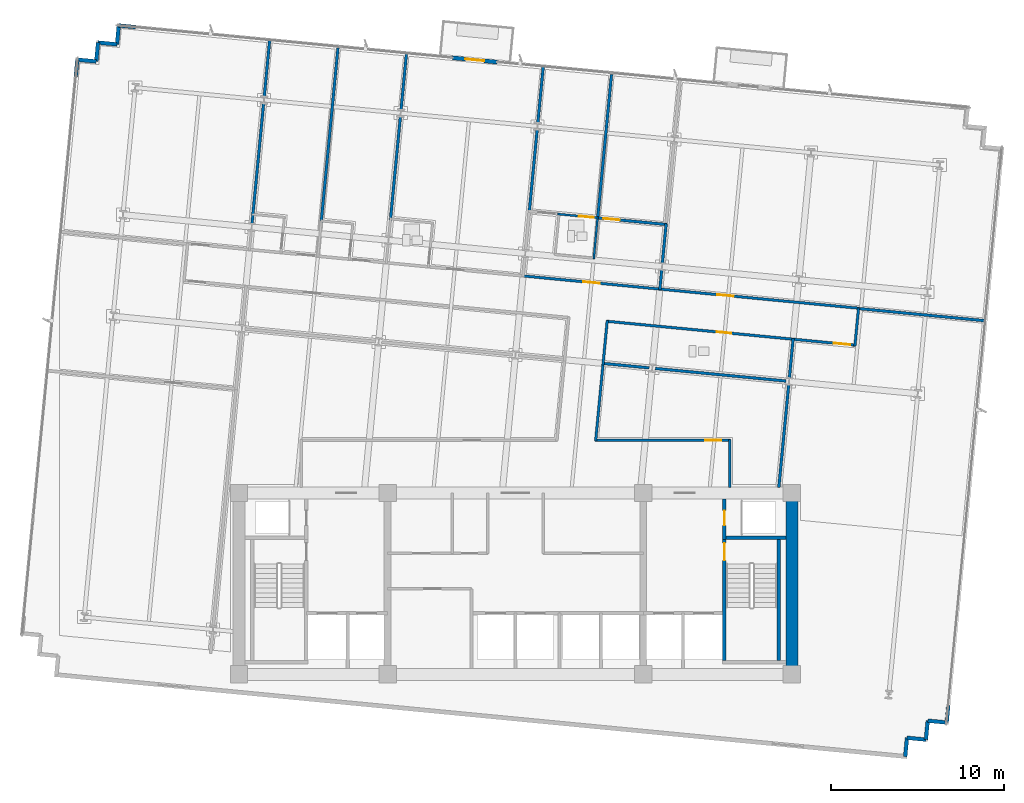
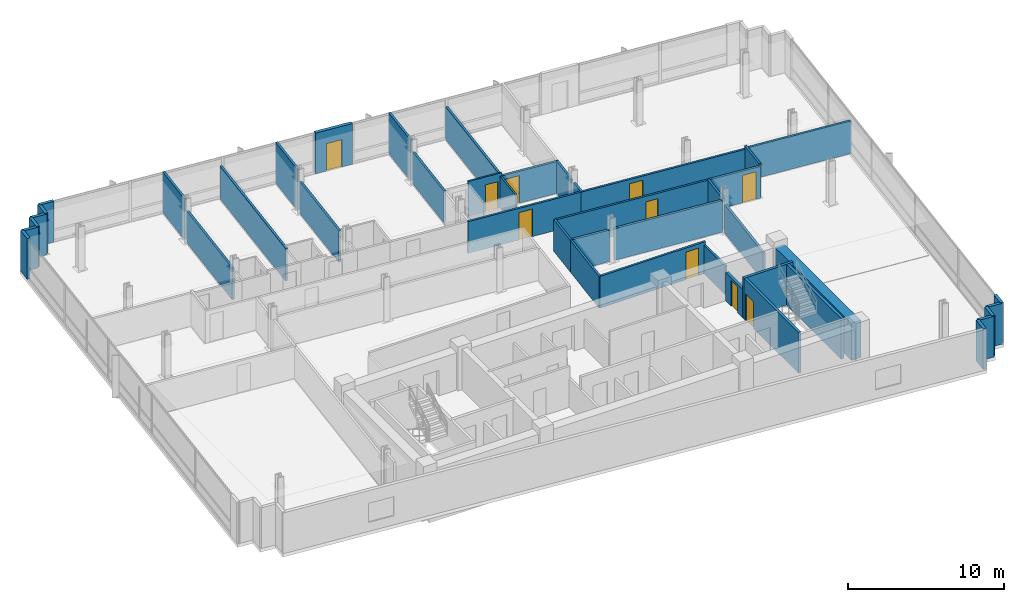
# One storey, part 12 of 17: 44 walls, 10 doors, 10 openings.
"""IFC4 building model written with IfcOpenShell, lengths in metres."""

import ifcopenshell
import ifcopenshell.guid

model = None  # the IFC model being written
_history = None  # IfcOwnerHistory: only IFC2X3 demands one
_inside = {}  # id of a spatial element -> (the spatial element, [elements in it])
_under = {}  # id of a project, library or spatial element -> (it, [spatial elements below it])
_declared = {}  # id of a project -> (the project, [libraries it declares])
_typed = {}  # id of a type object -> (the type object, [elements of that type])
_made_of = {}  # id of a material, layer set ... -> (it, [elements and type objects made of it])


def new_model(schema):
    """Start an empty IFC model of exactly this schema.

    Asked for "IFC4X3", IfcOpenShell would pick the latest addendum, in which some entities
    have other attributes; the version numbers below select the first issue.
    IFC2X3 requires an IfcOwnerHistory on every rooted entity: one is made here for all.
    """
    global model, _history
    if schema == "IFC4X3":
        model = ifcopenshell.file(schema_version=(4, 3, 0, 0))
    else:
        model = ifcopenshell.file(schema=schema)
    _inside.clear()
    _under.clear()
    _declared.clear()
    _typed.clear()
    _made_of.clear()
    _history = None
    if model.schema == "IFC2X3":
        org = make("IfcOrganization", Name="unknown")
        user = make(
            "IfcPersonAndOrganization",
            ThePerson=make("IfcPerson", FamilyName="unknown"),
            TheOrganization=org,
        )
        app = make(
            "IfcApplication",
            ApplicationDeveloper=org,
            Version="unknown",
            ApplicationFullName="unknown",
            ApplicationIdentifier="unknown",
        )
        _history = make(
            "IfcOwnerHistory",
            OwningUser=user,
            OwningApplication=app,
            ChangeAction="ADDED",
            CreationDate=0,
        )
    return model


def make(cls, **values):
    """One entity of the class cls with the attributes given. An attribute that is None is left unset."""
    return model.create_entity(
        cls, **{name: value for name, value in values.items() if value is not None}
    )


def rooted(cls, **values):
    """An entity with a GlobalId (a new one), such as an element, a storey or a relation."""
    return make(cls, GlobalId=ifcopenshell.guid.new(), OwnerHistory=_history, **values)


def si_unit(unit_type, name, prefix=None):
    """IfcSIUnit, for example si_unit("LENGTHUNIT", "METRE", prefix="MILLI")."""
    return make("IfcSIUnit", UnitType=unit_type, Prefix=prefix, Name=name)


def assignment(units):
    """IfcUnitAssignment: the units of a project."""
    return None if units is None else make("IfcUnitAssignment", Units=units)


def point(xyz):
    """IfcCartesianPoint."""
    return None if xyz is None else make("IfcCartesianPoint", Coordinates=xyz)


def direction(xyz):
    """IfcDirection."""
    return None if xyz is None else make("IfcDirection", DirectionRatios=xyz)


def frame(location, z_axis=None, x_axis=None):
    """IfcAxis2Placement3D, a coordinate frame: its origin and axes. An axis left out is left unset."""
    return make(
        "IfcAxis2Placement3D",
        Location=point(location),
        Axis=direction(z_axis),
        RefDirection=direction(x_axis),
    )


def frame_2d(location, x_axis=None):
    """IfcAxis2Placement2D, a coordinate frame in the plane: its origin and x axis."""
    return make(
        "IfcAxis2Placement2D", Location=point(location), RefDirection=direction(x_axis)
    )


def origin():
    """The frame at (0, 0, 0) with its axes left unset."""
    return frame((0.0, 0.0, 0.0))


def place(relative_to, where):
    """IfcLocalPlacement: puts the frame where relative to a parent placement (None: the world)."""
    return make(
        "IfcLocalPlacement", PlacementRelTo=relative_to, RelativePlacement=where
    )


def context(
    kind, dimensions, precision=None, world=None, true_north=None, identifier=None
):
    """IfcGeometricRepresentationContext, for example the 3D "Model" context."""
    return make(
        "IfcGeometricRepresentationContext",
        ContextIdentifier=identifier,
        ContextType=kind,
        CoordinateSpaceDimension=dimensions,
        Precision=precision,
        WorldCoordinateSystem=world,
        TrueNorth=true_north,
    )


def subcontext(parent, identifier, kind, view, scale=None):
    """IfcGeometricRepresentationSubContext, for example "Body" below "Model"."""
    return make(
        "IfcGeometricRepresentationSubContext",
        ContextIdentifier=identifier,
        ContextType=kind,
        ParentContext=parent,
        TargetScale=scale,
        TargetView=view,
    )


def project(units=None, contexts=None):
    """IfcProject with its units and contexts."""
    return rooted(
        "IfcProject",
        Name="project",
        RepresentationContexts=contexts,
        UnitsInContext=assignment(units),
    )


def spatial(cls, under=None, at=None, **own):
    """A site, building, storey or space (cls), placed at a placement, below another one or the project."""
    s = rooted(cls, ObjectPlacement=at, **own)
    if under is not None:
        _under.setdefault(under.id(), (under, []))[1].append(s)
    return s


def profile(cls, at=None, kind="AREA", **sizes):
    """A parametric profile (cls). Its sizes go by their IFC names, for example OverallWidth=200.0."""
    return make(cls, ProfileType=kind, Position=at, **sizes)


def rectangle(**sizes):
    """IfcRectangleProfileDef."""
    return profile("IfcRectangleProfileDef", **sizes)


def extrude(swept, where, along, depth):
    """IfcExtrudedAreaSolid: the profile swept, set in the frame where, extruded along a direction by depth."""
    return make(
        "IfcExtrudedAreaSolid",
        SweptArea=swept,
        Position=where,
        ExtrudedDirection=direction(along),
        Depth=depth,
    )


def shape(context_of_items, identifier, shape_type, items):
    """IfcShapeRepresentation: the items that make up one representation, for example the "Body"."""
    return make(
        "IfcShapeRepresentation",
        ContextOfItems=context_of_items,
        RepresentationIdentifier=identifier,
        RepresentationType=shape_type,
        Items=items,
    )


def material(Name=None, Category=None):
    """IfcMaterial."""
    return make("IfcMaterial", Name=Name, Category=Category)


def layer(
    of_material, thickness, ventilated=None, Name=None, Category=None, Priority=None
):
    """IfcMaterialLayer: one layer of a wall or slab, of a material (None: an air gap)."""
    return make(
        "IfcMaterialLayer",
        Material=of_material,
        LayerThickness=thickness,
        IsVentilated=ventilated,
        Name=Name,
        Category=Category,
        Priority=Priority,
    )


def layer_set(layers, Name=None):
    """IfcMaterialLayerSet."""
    return make("IfcMaterialLayerSet", MaterialLayers=layers, LayerSetName=Name)


def made_of(thing, what):
    """Note that an element or type object is made of a material, layer set ...; save() writes the relation."""
    if what is not None:
        _made_of.setdefault(what.id(), (what, []))[1].append(thing)
    return thing


def type_object(cls, material=None, **own):
    """A type object (cls), such as IfcWallType, which elements share."""
    return made_of(rooted(cls, **own), material)


def element(
    cls,
    number,
    at=None,
    inside=None,
    cuts=None,
    type_object=None,
    material=None,
    context=None,
    identifier="Body",
    shape_type=None,
    held_by="IfcProductDefinitionShape",
    body=None,
    shapes=None,
    **own,
):
    """One element of the class cls, such as IfcWall. Its Tag is "e" and its number.

    at: its placement. inside: the storey or other place that contains it. cuts: it is an
    opening in that element (IfcRelVoidsElement). A single representation is given by context,
    identifier, shape_type and body (its items); several are given by shapes. held_by: the class
    of the entity that holds the representations. save() writes the other relations.
    """
    e = rooted(cls, Tag="e%d" % number, ObjectPlacement=at, **own)
    if body is not None:
        shapes = [shape(context, identifier, shape_type, body)]
    if shapes is not None:
        e.Representation = make(held_by, Representations=shapes)
    if inside is not None:
        _inside.setdefault(inside.id(), (inside, []))[1].append(e)
    if cuts is not None:
        rooted(
            "IfcRelVoidsElement", RelatingBuildingElement=cuts, RelatedOpeningElement=e
        )
    if type_object is not None:
        _typed.setdefault(type_object.id(), (type_object, []))[1].append(e)
    return made_of(e, material)


def fill(opening, filler):
    """IfcRelFillsElement: the door or window that sits in an opening."""
    return rooted(
        "IfcRelFillsElement",
        RelatingOpeningElement=opening,
        RelatedBuildingElement=filler,
    )


def aggregate(whole, parts):
    """IfcRelAggregates: a whole, such as a stair, and the parts it consists of."""
    return rooted("IfcRelAggregates", RelatingObject=whole, RelatedObjects=parts)


def save(model, path):
    """Write the relations noted so far, then the file.

    IfcRelAggregates (storeys below a building ...), IfcRelContainedInSpatialStructure (elements
    in a storey), IfcRelDefinesByType, IfcRelAssociatesMaterial and IfcRelDeclares: one each for
    every whole, place, type object, material and project.
    """
    for whole, parts in _under.values():
        aggregate(whole, parts)
    for where, things in _inside.values():
        rooted(
            "IfcRelContainedInSpatialStructure",
            RelatedElements=things,
            RelatingStructure=where,
        )
    for kind, things in _typed.values():
        rooted("IfcRelDefinesByType", RelatedObjects=things, RelatingType=kind)
    for what, things in _made_of.values():
        rooted("IfcRelAssociatesMaterial", RelatedObjects=things, RelatingMaterial=what)
    for by, libraries in _declared.values():
        rooted("IfcRelDeclares", RelatingContext=by, RelatedDefinitions=libraries)
    model.write(path)


model = new_model("IFC4")

# Units and contexts
model_context = context("Model", 3, precision=1e-05, world=origin(), true_north=direction((0.0, 1.0)))
body_context = subcontext(model_context, "Body", "Model", "MODEL_VIEW")
ifc_project = project(units=[si_unit("LENGTHUNIT", "METRE"), si_unit("AREAUNIT", "SQUARE_METRE"), si_unit("VOLUMEUNIT", "CUBIC_METRE"), si_unit("PLANEANGLEUNIT", "RADIAN"), si_unit("MASSUNIT", "GRAM", prefix="KILO")], contexts=[model_context])

# Site, building, storey
site_placement = place(None, origin())
site = spatial("IfcSite", under=ifc_project, at=site_placement, CompositionType="ELEMENT")
building_placement = place(site_placement, origin())
building = spatial("IfcBuilding", under=site, at=building_placement, Name="Solmavex Isthmus Hotel", CompositionType="ELEMENT")
storey_placement = place(building_placement, frame((0.0, 0.0, 153.14990234375)))
storey = spatial("IfcBuildingStorey", under=building, at=storey_placement, Name="L41", CompositionType="ELEMENT", Elevation=153.14990234375)

# Wall, opening, door
ifc_material_1 = material(Name="Precast Concrete C40/50", Category="concrete")
ifc_layer_1 = layer(ifc_material_1, 0.25)
ifc_layer_set_1 = layer_set([ifc_layer_1], Name="Precast Concrete C40/50")
wall_type_1 = type_object("IfcWallType", Name="EW-TWR-250", PredefinedType="STANDARD", material=ifc_layer_set_1)
wall_1_placement = place(storey_placement, frame((-3.64404296875, 22.698974609375, 0.0), z_axis=(0.0, 0.0, 1.0), x_axis=(0.995393186867, -0.095877022999, 0.0)))
wall_1 = element("IfcWall", 1, at=wall_1_placement, inside=storey, type_object=wall_type_1, Name="Exterior Balcony Door Wall L41-2", PredefinedType="STANDARD", context=body_context, shape_type="SweptSolid", body=[
    extrude(rectangle(XDim=2.599853515625, YDim=0.239990234375, at=frame_2d((1.2998046875, 0.0))), origin(), (0.0, 0.0, 1.0), 3.190185546875),
])
opening_1_placement = place(wall_1_placement, frame((0.75, 0.0, 0.0)))
opening_1 = element("IfcOpeningElement", 2, at=opening_1_placement, cuts=wall_1, Name="Opening ED-02", PredefinedType="OPENING", context=body_context, shape_type="SweptSolid", body=[
    extrude(rectangle(XDim=1.10009765625, YDim=2.14990234375, at=frame_2d((0.550048828125, 1.074951171875))), frame((0.0, 0.1298828125, 0.0), z_axis=(0.0, -1.0, 0.0), x_axis=(1.0, 0.0, 0.0)), (0.0, 0.0, 1.0), 0.260009765625),
])
ifc_material_2 = material(Name="Aluminium alloy 6063-T6", Category="aluminium")
door_type_1 = type_object("IfcDoorType", Name="EDR-BALC-1100", OperationType="NOTDEFINED", PredefinedType="DOOR", material=ifc_material_2)
door_1_placement = place(opening_1_placement, origin())
door_1 = element("IfcDoor", 3, at=door_1_placement, inside=storey, type_object=door_type_1, Name="Balcony & Terrace Glazed Door L41-2", OperationType="SINGLE_SWING_RIGHT", OverallHeight=2.14990234375, OverallWidth=1.10009765625, PredefinedType="DOOR", context=body_context, shape_type="SweptSolid", body=[
    extrude(rectangle(XDim=1.10009765625, YDim=2.14990234375, at=frame_2d((0.550048828125, 1.074951171875))), frame((0.0, 0.02490234375, 0.0), z_axis=(0.0, -1.0, 0.0), x_axis=(1.0, 0.0, 0.0)), (0.0, 0.0, 1.0), 0.050048828125),
])
fill(opening_1, door_1)

# Walls
wall_2_placement = place(storey_placement, frame((-25.46142578125, 21.60498046875, 0.0), z_axis=(0.0, 0.0, 1.0), x_axis=(0.095937974524, 0.995387314086, 0.0)))
element("IfcWall", 4, at=wall_2_placement, inside=storey, type_object=wall_type_1, Name="Serrated Corner Facade Panel L41-07", PredefinedType="STANDARD", context=body_context, shape_type="SweptSolid", body=[
    extrude(rectangle(XDim=0.989990234375, YDim=0.219970703125, at=frame_2d((0.4951171875, 0.0))), origin(), (0.0, 0.0, 1.0), 3.190185546875),
])
for number, where, z_axis, x_axis, name in (
    (5, (-25.366455078125, 22.59033203125, 0.0), (0.0, 0.0, 1.0), (0.995414313875, -0.095657429048, 0.0), "Serrated Corner Facade Panel L41-08"),
    (6, (-24.271484375, 22.485107421875, 0.0), (0.0, 0.0, 1.0), (0.095657429048, 0.995414313875, 0.0), "Serrated Corner Facade Panel L41-09"),
    (7, (-24.166259765625, 23.580078125, 0.0), (0.0, 0.0, 1.0), (0.995393156894, -0.095877334176, 0.0), "Serrated Corner Facade Panel L41-10"),
    (8, (-23.0712890625, 23.474609375, 0.0), (0.0, 0.0, 1.0), (0.095877334176, 0.995393156894, 0.0), "Serrated Corner Facade Panel L41-11"),
):
    element("IfcWall", number, at=place(storey_placement, frame(where, z_axis=z_axis, x_axis=x_axis)), inside=storey, type_object=wall_type_1, Name=name, PredefinedType="STANDARD", context=body_context, shape_type="SweptSolid", body=[
        extrude(rectangle(XDim=1.10009765625, YDim=0.219970703125, at=frame_2d((0.550048828125, 0.0))), origin(), (0.0, 0.0, 1.0), 3.190185546875),
    ])
wall_3_placement = place(storey_placement, frame((-22.9658203125, 24.569580078125, 0.0), z_axis=(0.0, 0.0, 1.0), x_axis=(0.995387314086, -0.095937974524, 0.0)))
element("IfcWall", 9, at=wall_3_placement, inside=storey, type_object=wall_type_1, Name="Serrated Corner Facade Panel L41-12", PredefinedType="STANDARD", context=body_context, shape_type="SweptSolid", body=[
    extrude(rectangle(XDim=0.989990234375, YDim=0.219970703125, at=frame_2d((0.4951171875, 0.0))), origin(), (0.0, 0.0, 1.0), 3.190185546875),
])
wall_4_placement = place(storey_placement, frame((25.0615234375, -14.804931640625, 0.0), z_axis=(0.0, 0.0, 1.0), x_axis=(-0.095914428506, -0.995389583231, 0.0)))
element("IfcWall", 10, at=wall_4_placement, inside=storey, type_object=wall_type_1, Name="Serrated Corner Facade Panel L41-21", PredefinedType="STANDARD", context=body_context, shape_type="SweptSolid", body=[
    extrude(rectangle(XDim=0.990234375, YDim=0.219970703125, at=frame_2d((0.4951171875, 0.0))), origin(), (0.0, 0.0, 1.0), 3.190185546875),
])
for number, where, z_axis, x_axis, name in (
    (11, (24.966552734375, -15.79052734375, 0.0), (0.0, 0.0, 1.0), (-0.995393156894, 0.095877334176, 0.0), "Serrated Corner Facade Panel L41-22"),
    (12, (23.87158203125, -15.68505859375, 0.0), (0.0, 0.0, 1.0), (-0.095877334176, -0.995393156894, 0.0), "Serrated Corner Facade Panel L41-23"),
    (13, (23.76611328125, -16.780029296875, 0.0), (0.0, 0.0, 1.0), (-0.995393156894, 0.095877334176, 0.0), "Serrated Corner Facade Panel L41-24"),
    (14, (22.671142578125, -16.674560546875, 0.0), (0.0, 0.0, 1.0), (-0.095657429048, -0.995414313875, 0.0), "Serrated Corner Facade Panel L41-25"),
):
    element("IfcWall", number, at=place(storey_placement, frame(where, z_axis=z_axis, x_axis=x_axis)), inside=storey, type_object=wall_type_1, Name=name, PredefinedType="STANDARD", context=body_context, shape_type="SweptSolid", body=[
        extrude(rectangle(XDim=1.10009765625, YDim=0.219970703125, at=frame_2d((0.550048828125, 0.0))), origin(), (0.0, 0.0, 1.0), 3.190185546875),
    ])
ifc_material_3 = material(Name="Gypsum plasterboard lining", Category="gypsum")
ifc_layer_2 = layer(ifc_material_3, 0.159912109375)
ifc_layer_set_2 = layer_set([ifc_layer_2], Name="Gypsum plasterboard lining")
wall_type_2 = type_object("IfcWallType", Name="IW-COMP-160", PredefinedType="PARTITIONING", material=ifc_layer_set_2)
wall_5_placement = place(storey_placement, frame((-14.57958984375, 20.0791015625, 0.0), z_axis=(0.0, 0.0, 1.0), x_axis=(-0.095849846802, -0.995395804124, 0.0)))
element("IfcWall", 15, at=wall_5_placement, inside=storey, type_object=wall_type_2, Name="Interior Partition Wall W-L41-P024", PredefinedType="PARTITIONING", context=body_context, shape_type="SweptSolid", body=[
    extrude(rectangle(XDim=7.040283203125, YDim=0.159912109375, at=frame_2d((3.52001953125, 0.0))), origin(), (0.0, 0.0, 1.0), 2.4794921875),
])
wall_6_placement = place(storey_placement, frame((-14.225341796875, 23.758056640625, 0.0), z_axis=(0.0, 0.0, 1.0), x_axis=(-0.095859866796, -0.995394839216, 0.0)))
element("IfcWall", 16, at=wall_6_placement, inside=storey, type_object=wall_type_2, Name="Interior Partition Wall W-L41-P025", PredefinedType="PARTITIONING", context=body_context, shape_type="SweptSolid", body=[
    extrude(rectangle(XDim=3.343994140625, YDim=0.159912109375, at=frame_2d((1.671875, 0.0))), origin(), (0.0, 0.0, 1.0), 3.190185546875),
])
wall_7_placement = place(storey_placement, frame((-10.277099609375, 23.25732421875, 0.0), z_axis=(0.0, 0.0, 1.0), x_axis=(-0.095852900965, -0.995395510024, 0.0)))
element("IfcWall", 17, at=wall_7_placement, inside=storey, type_object=wall_type_2, Name="Interior Partition Wall W-L41-P030", PredefinedType="PARTITIONING", context=body_context, shape_type="SweptSolid", body=[
    extrude(rectangle(XDim=10.132080078125, YDim=0.159912109375, at=frame_2d((5.06591796875, 0.0))), origin(), (0.0, 0.0, 1.0), 2.5576171875),
])
wall_8_placement = place(storey_placement, frame((-6.66015625, 19.31640625, 0.0), z_axis=(0.0, 0.0, 1.0), x_axis=(-0.095866807264, -0.995394170801, 0.0)))
element("IfcWall", 18, at=wall_8_placement, inside=storey, type_object=wall_type_2, Name="Interior Partition Wall W-L41-P034", PredefinedType="PARTITIONING", context=body_context, shape_type="SweptSolid", body=[
    extrude(rectangle(XDim=6.055908203125, YDim=0.159912109375, at=frame_2d((3.02783203125, 0.0))), origin(), (0.0, 0.0, 1.0), 2.4794921875),
])
wall_9_placement = place(storey_placement, frame((-6.305908203125, 22.995361328125, 0.0), z_axis=(0.0, 0.0, 1.0), x_axis=(-0.095859866796, -0.995394839216, 0.0)))
element("IfcWall", 19, at=wall_9_placement, inside=storey, type_object=wall_type_2, Name="Interior Partition Wall W-L41-P035", PredefinedType="PARTITIONING", context=body_context, shape_type="SweptSolid", body=[
    extrude(rectangle(XDim=3.343994140625, YDim=0.159912109375, at=frame_2d((1.671875, 0.0))), origin(), (0.0, 0.0, 1.0), 3.190185546875),
])
wall_10_placement = place(storey_placement, frame((1.259033203125, 18.553955078125, 0.0), z_axis=(0.0, 0.0, 1.0), x_axis=(-0.095833311996, -0.995397396175, 0.0)))
element("IfcWall", 20, at=wall_10_placement, inside=storey, type_object=wall_type_2, Name="Interior Partition Wall W-L41-P042", PredefinedType="PARTITIONING", context=body_context, shape_type="SweptSolid", body=[
    extrude(rectangle(XDim=4.847900390625, YDim=0.159912109375, at=frame_2d((2.423828125, 0.0))), origin(), (0.0, 0.0, 1.0), 2.4794921875),
])
wall_11_placement = place(storey_placement, frame((1.61328125, 22.23291015625, 0.0), z_axis=(0.0, 0.0, 1.0), x_axis=(-0.095787528641, -0.99540180297, 0.0)))
element("IfcWall", 21, at=wall_11_placement, inside=storey, type_object=wall_type_2, Name="Interior Partition Wall W-L41-P043", PredefinedType="PARTITIONING", context=body_context, shape_type="SweptSolid", body=[
    extrude(rectangle(XDim=3.343994140625, YDim=0.159912109375, at=frame_2d((1.671875, 0.0))), origin(), (0.0, 0.0, 1.0), 3.190185546875),
])

# Wall, opening, door
wall_12_placement = place(storey_placement, frame((4.712158203125, 13.433349609375, 0.0), z_axis=(0.0, 0.0, 1.0), x_axis=(0.995396485523, -0.095842770251, 0.0)))
wall_12 = element("IfcWall", 22, at=wall_12_placement, inside=storey, type_object=wall_type_2, Name="Interior Partition Wall W-L41-P045", PredefinedType="PARTITIONING", context=body_context, shape_type="SweptSolid", body=[
    extrude(rectangle(XDim=4.068115234375, YDim=0.159912109375, at=frame_2d((2.0341796875, 0.0))), origin(), (0.0, 0.0, 1.0), 2.4794921875),
])
opening_2_placement = place(wall_12_placement, frame((0.386474609375, 0.0, 0.0)))
opening_2 = element("IfcOpeningElement", 23, at=opening_2_placement, cuts=wall_12, Name="Opening ID-C095", PredefinedType="OPENING", context=body_context, shape_type="SweptSolid", body=[
    extrude(rectangle(XDim=0.949951171875, YDim=2.14990234375, at=frame_2d((0.47509765625, 1.074951171875))), frame((0.0, 0.08984375, 0.0), z_axis=(0.0, -1.0, 0.0), x_axis=(1.0, 0.0, 0.0)), (0.0, 0.0, 1.0), 0.179931640625),
])
ifc_material_4 = material(Name="Hardwood timber", Category="wood")
door_type_2 = type_object("IfcDoorType", Name="IDR-FD60-0950", OperationType="NOTDEFINED", PredefinedType="DOOR", material=ifc_material_4)
door_2_placement = place(opening_2_placement, origin())
door_2 = element("IfcDoor", 24, at=door_2_placement, inside=storey, type_object=door_type_2, Name="Ambassador Suite Sitting Lounge Door L41-10", OperationType="SINGLE_SWING_RIGHT", OverallHeight=2.14990234375, OverallWidth=0.949951171875, PredefinedType="DOOR", context=body_context, shape_type="SweptSolid", body=[
    extrude(rectangle(XDim=0.949951171875, YDim=2.14990234375, at=frame_2d((0.47509765625, 1.074951171875))), frame((0.0, 0.02490234375, 0.0), z_axis=(0.0, -1.0, 0.0), x_axis=(1.0, 0.0, 0.0)), (0.0, 0.0, 1.0), 0.050048828125),
])
fill(opening_2, door_2)

# Walls
wall_13_placement = place(storey_placement, frame((8.469970703125, 10.433349609375, 0.0), z_axis=(0.0, 0.0, 1.0), x_axis=(-0.095831494917, -0.995397571115, 0.0)))
element("IfcWall", 25, at=wall_13_placement, inside=storey, type_object=wall_type_2, Name="Interior Partition Wall W-L41-P049", PredefinedType="PARTITIONING", context=body_context, shape_type="SweptSolid", body=[
    extrude(rectangle(XDim=1.171875, YDim=0.159912109375, at=frame_2d((0.5859375, 0.0))), origin(), (0.0, 0.0, 1.0), 2.4794921875),
])
wall_14_placement = place(storey_placement, frame((8.7255859375, 13.087158203125, 0.0), z_axis=(0.0, 0.0, 1.0), x_axis=(-0.095899358877, -0.995391035205, 0.0)))
element("IfcWall", 26, at=wall_14_placement, inside=storey, type_object=wall_type_2, Name="Interior Partition Wall W-L41-P050", PredefinedType="PARTITIONING", context=body_context, shape_type="SweptSolid", body=[
    extrude(rectangle(XDim=2.314208984375, YDim=0.159912109375, at=frame_2d((1.1572265625, 0.0))), origin(), (0.0, 0.0, 1.0), 2.4794921875),
])
wall_15_placement = place(storey_placement, frame((5.5615234375, 21.732177734375, 0.0), z_axis=(0.0, 0.0, 1.0), x_axis=(-0.095826179736, -0.995398082818, 0.0)))
element("IfcWall", 27, at=wall_15_placement, inside=storey, type_object=wall_type_2, Name="Interior Partition Wall W-L41-P051", PredefinedType="PARTITIONING", context=body_context, shape_type="SweptSolid", body=[
    extrude(rectangle(XDim=8.382080078125, YDim=0.159912109375, at=frame_2d((4.19091796875, 0.0))), origin(), (0.0, 0.0, 1.0), 2.5576171875),
])
wall_16_placement = place(storey_placement, frame((27.236328125, 7.468994140625, 0.0), z_axis=(0.0, 0.0, 1.0), x_axis=(-0.995396228159, 0.095845443117, 0.0)))
element("IfcWall", 28, at=wall_16_placement, inside=storey, type_object=wall_type_2, Name="Interior Partition Wall W-L41-P055", PredefinedType="PARTITIONING", context=body_context, shape_type="SweptSolid", body=[
    extrude(rectangle(XDim=7.447998046875, YDim=0.159912109375, at=frame_2d((3.72412109375, 0.0))), origin(), (0.0, 0.0, 1.0), 2.5576171875),
])
wall_17_placement = place(storey_placement, frame((7.745361328125, 4.74462890625, 0.0), z_axis=(0.0, 0.0, 1.0), x_axis=(-0.995392910691, 0.095879890208, 0.0)))
element("IfcWall", 29, at=wall_17_placement, inside=storey, type_object=wall_type_2, Name="Interior Partition Wall W-L41-P056", PredefinedType="PARTITIONING", context=body_context, shape_type="SweptSolid", body=[
    extrude(rectangle(XDim=2.721923828125, YDim=0.159912109375, at=frame_2d((1.36083984375, 0.0))), origin(), (0.0, 0.0, 1.0), 2.4794921875),
])
wall_18_placement = place(storey_placement, frame((15.664794921875, 3.982177734375, 0.0), z_axis=(0.0, 0.0, 1.0), x_axis=(-0.995396667246, 0.095840882902, 0.0)))
element("IfcWall", 30, at=wall_18_placement, inside=storey, type_object=wall_type_2, Name="Interior Partition Wall W-L41-P057", PredefinedType="PARTITIONING", context=body_context, shape_type="SweptSolid", body=[
    extrude(rectangle(XDim=7.603759765625, YDim=0.159912109375, at=frame_2d((3.8017578125, 0.0))), origin(), (0.0, 0.0, 1.0), 2.4794921875),
])
wall_19_placement = place(storey_placement, frame((16.07861328125, 6.44384765625, 0.0), z_axis=(0.0, 0.0, 1.0), x_axis=(-0.095794827695, -0.995401100555, 0.0)))
element("IfcWall", 31, at=wall_19_placement, inside=storey, type_object=wall_type_2, Name="Interior Partition Wall W-L41-P058", PredefinedType="PARTITIONING", context=body_context, shape_type="SweptSolid", body=[
    extrude(rectangle(XDim=2.314208984375, YDim=0.159912109375, at=frame_2d((1.1572265625, 0.0))), origin(), (0.0, 0.0, 1.0), 2.4794921875),
])
wall_20_placement = place(storey_placement, frame((15.8232421875, 3.7900390625, 0.0), z_axis=(0.0, 0.0, 1.0), x_axis=(-0.095865726078, -0.99539427493, 0.0)))
element("IfcWall", 32, at=wall_20_placement, inside=storey, type_object=wall_type_2, Name="Interior Partition Wall W-L41-P063", PredefinedType="PARTITIONING", context=body_context, shape_type="SweptSolid", body=[
    extrude(rectangle(XDim=6.007568359375, YDim=0.159912109375, at=frame_2d((3.00390625, 0.0))), origin(), (0.0, 0.0, 1.0), 2.22509765625),
])

# Wall, opening, door
ifc_layer_3 = layer(ifc_material_3, 0.14990234375)
ifc_layer_set_3 = layer_set([ifc_layer_3], Name="Gypsum plasterboard lining")
wall_type_3 = type_object("IfcWallType", Name="IW-CORR-150", PredefinedType="PARTITIONING", material=ifc_layer_set_3)
wall_21_placement = place(storey_placement, frame((0.360595703125, 10.076904296875, 0.0), z_axis=(0.0, 0.0, 1.0), x_axis=(0.995398335831, -0.09582355151, 0.0)))
wall_21 = element("IfcWall", 33, at=wall_21_placement, inside=storey, type_object=wall_type_3, Name="Interior Partition Wall W-L41-P008", PredefinedType="PARTITIONING", context=body_context, shape_type="SweptSolid", body=[
    extrude(rectangle(XDim=8.119873046875, YDim=0.14990234375, at=frame_2d((4.06005859375, 0.0))), origin(), (0.0, 0.0, 1.0), 2.4794921875),
])
opening_3_placement = place(wall_21_placement, frame((3.5849609375, 0.0, 0.0)))
opening_3 = element("IfcOpeningElement", 34, at=opening_3_placement, cuts=wall_21, Name="Opening ID-C095", PredefinedType="OPENING", context=body_context, shape_type="SweptSolid", body=[
    extrude(rectangle(XDim=0.949951171875, YDim=2.14990234375, at=frame_2d((0.47509765625, 1.074951171875))), frame((0.0, 0.0849609375, 0.0), z_axis=(0.0, -1.0, 0.0), x_axis=(1.0, 0.0, 0.0)), (0.0, 0.0, 1.0), 0.169921875),
])
door_3_placement = place(opening_3_placement, frame((0.949951171875, 0.0, 0.0), z_axis=(0.0, 0.0, 1.0), x_axis=(-1.0, 0.0, 0.0)))
door_3 = element("IfcDoor", 35, at=door_3_placement, inside=storey, type_object=door_type_2, Name="Ambassador Suite Reception Foyer Door L41-08", OperationType="SINGLE_SWING_RIGHT", OverallHeight=2.14990234375, OverallWidth=0.949951171875, PredefinedType="DOOR", context=body_context, shape_type="SweptSolid", body=[
    extrude(rectangle(XDim=0.949951171875, YDim=2.14990234375, at=frame_2d((0.47509765625, 1.074951171875))), frame((0.0, 0.02490234375, 0.0), z_axis=(0.0, -1.0, 0.0), x_axis=(1.0, 0.0, 0.0)), (0.0, 0.0, 1.0), 0.050048828125),
])
fill(opening_3, door_3)

wall_22_placement = place(storey_placement, frame((8.280029296875, 9.314453125, 0.0), z_axis=(0.0, 0.0, 1.0), x_axis=(0.995395229283, -0.095855816312, 0.0)))
wall_22 = element("IfcWall", 36, at=wall_22_placement, inside=storey, type_object=wall_type_3, Name="Interior Partition Wall W-L41-P009", PredefinedType="PARTITIONING", context=body_context, shape_type="SweptSolid", body=[
    extrude(rectangle(XDim=11.677734375, YDim=0.14990234375, at=frame_2d((5.8388671875, 0.0))), origin(), (0.0, 0.0, 1.0), 2.4794921875),
])
opening_4_placement = place(wall_22_placement, frame((3.41552734375, 0.0, 0.0)))
opening_4 = element("IfcOpeningElement", 37, at=opening_4_placement, cuts=wall_22, Name="Opening ID-C095", PredefinedType="OPENING", context=body_context, shape_type="SweptSolid", body=[
    extrude(rectangle(XDim=0.949951171875, YDim=2.14990234375, at=frame_2d((0.47509765625, 1.074951171875))), frame((0.0, 0.0849609375, 0.0), z_axis=(0.0, -1.0, 0.0), x_axis=(1.0, 0.0, 0.0)), (0.0, 0.0, 1.0), 0.169921875),
])
door_4_placement = place(opening_4_placement, frame((0.949951171875, 0.0, 0.0), z_axis=(0.0, 0.0, 1.0), x_axis=(-1.0, 0.0, 0.0)))
door_4 = element("IfcDoor", 38, at=door_4_placement, inside=storey, type_object=door_type_2, Name="Corporate Briefing Office Door L41-12", OperationType="SINGLE_SWING_RIGHT", OverallHeight=2.14990234375, OverallWidth=0.949951171875, PredefinedType="DOOR", context=body_context, shape_type="SweptSolid", body=[
    extrude(rectangle(XDim=0.949951171875, YDim=2.14990234375, at=frame_2d((0.47509765625, 1.074951171875))), frame((0.0, 0.02490234375, 0.0), z_axis=(0.0, -1.0, 0.0), x_axis=(1.0, 0.0, 0.0)), (0.0, 0.0, 1.0), 0.050048828125),
])
fill(opening_4, door_4)

wall_23_placement = place(storey_placement, frame((16.156494140625, 6.39599609375, 0.0), z_axis=(0.0, 0.0, 1.0), x_axis=(-0.99539478422, 0.095860437863, 0.0)))
wall_23 = element("IfcWall", 39, at=wall_23_placement, inside=storey, type_object=wall_type_3, Name="Interior Partition Wall W-L41-P010", PredefinedType="PARTITIONING", context=body_context, shape_type="SweptSolid", body=[
    extrude(rectangle(XDim=10.93603515625, YDim=0.14990234375, at=frame_2d((5.468017578125, 0.0))), origin(), (0.0, 0.0, 1.0), 2.4794921875),
])
opening_5_placement = place(wall_23_placement, frame((3.675048828125, 0.0, 0.0)))
opening_5 = element("IfcOpeningElement", 40, at=opening_5_placement, cuts=wall_23, Name="Opening ID-R085", PredefinedType="OPENING", context=body_context, shape_type="SweptSolid", body=[
    extrude(rectangle(XDim=0.85009765625, YDim=2.050048828125, at=frame_2d((0.425048828125, 1.02490234375))), frame((0.0, 0.0849609375, 0.0), z_axis=(0.0, -1.0, 0.0), x_axis=(1.0, 0.0, 0.0)), (0.0, 0.0, 1.0), 0.169921875),
])
ifc_material_5 = material(Name="Steel ASTM A500 Grade C", Category="steel")
door_type_3 = type_object("IfcDoorType", Name="IDR-FD60-0850", OperationType="NOTDEFINED", PredefinedType="DOOR", material=ifc_material_5)
door_5_placement = place(opening_5_placement, frame((0.85009765625, 0.0, 0.0), z_axis=(0.0, 0.0, 1.0), x_axis=(-1.0, 0.0, 0.0)))
door_5 = element("IfcDoor", 41, at=door_5_placement, inside=storey, type_object=door_type_3, Name="Accessible Public Restroom WC Door L41-13", OperationType="SINGLE_SWING_LEFT", OverallHeight=2.050048828125, OverallWidth=0.85009765625, PredefinedType="DOOR", context=body_context, shape_type="SweptSolid", body=[
    extrude(rectangle(XDim=0.85009765625, YDim=2.050048828125, at=frame_2d((0.425048828125, 1.02490234375))), frame((0.0, 0.02490234375, 0.0), z_axis=(0.0, -1.0, 0.0), x_axis=(1.0, 0.0, 0.0)), (0.0, 0.0, 1.0), 0.050048828125),
])
fill(opening_5, door_5)

# Walls
wall_24_placement = place(storey_placement, frame((5.314453125, 7.480224609375, 0.0), z_axis=(0.0, 0.0, 1.0), x_axis=(-0.09587519517, -0.995393362923, 0.0)))
element("IfcWall", 42, at=wall_24_placement, inside=storey, type_object=wall_type_3, Name="Interior Partition Wall W-L41-P011", PredefinedType="PARTITIONING", context=body_context, shape_type="SweptSolid", body=[
    extrude(rectangle(XDim=2.572021484375, YDim=0.14990234375, at=frame_2d((1.2861328125, 0.0))), origin(), (0.0, 0.0, 1.0), 2.4794921875),
])
wall_25_placement = place(storey_placement, frame((5.083740234375, 5.083251953125, 0.0), z_axis=(0.0, 0.0, 1.0), x_axis=(-0.095867331855, -0.995394120277, 0.0)))
element("IfcWall", 43, at=wall_25_placement, inside=storey, type_object=wall_type_3, Name="Interior Partition Wall W-L41-P014", PredefinedType="PARTITIONING", context=body_context, shape_type="SweptSolid", body=[
    extrude(rectangle(XDim=4.59423828125, YDim=0.14990234375, at=frame_2d((2.297119140625, 0.0))), origin(), (0.0, 0.0, 1.0), 2.4794921875),
])

# Wall, opening, door
wall_26_placement = place(storey_placement, frame((4.607177734375, 0.550048828125, 0.0), z_axis=(0.0, 0.0, 1.0), x_axis=(1.0, 0.0, 0.0)))
wall_26 = element("IfcWall", 44, at=wall_26_placement, inside=storey, type_object=wall_type_3, Name="Interior Partition Wall W-L41-P015", PredefinedType="PARTITIONING", context=body_context, shape_type="SweptSolid", body=[
    extrude(rectangle(XDim=7.832763671875, YDim=0.14990234375, at=frame_2d((3.91650390625, 0.0))), origin(), (0.0, 0.0, 1.0), 2.4794921875),
])
opening_6_placement = place(wall_26_placement, frame((6.3720703125, 0.0, 0.0)))
opening_6 = element("IfcOpeningElement", 45, at=opening_6_placement, cuts=wall_26, Name="Opening ID-C095", PredefinedType="OPENING", context=body_context, shape_type="SweptSolid", body=[
    extrude(rectangle(XDim=0.949951171875, YDim=2.14990234375, at=frame_2d((0.47509765625, 1.074951171875))), frame((0.0, 0.0849609375, 0.0), z_axis=(0.0, -1.0, 0.0), x_axis=(1.0, 0.0, 0.0)), (0.0, 0.0, 1.0), 0.169921875),
])
door_6_placement = place(opening_6_placement, origin())
door_6 = element("IfcDoor", 46, at=door_6_placement, inside=storey, type_object=door_type_2, Name="Seminar Meeting Room Door L41-15", OperationType="SINGLE_SWING_LEFT", OverallHeight=2.14990234375, OverallWidth=0.949951171875, PredefinedType="DOOR", context=body_context, shape_type="SweptSolid", body=[
    extrude(rectangle(XDim=0.949951171875, YDim=2.14990234375, at=frame_2d((0.47509765625, 1.074951171875))), frame((0.0, 0.02490234375, 0.0), z_axis=(0.0, -1.0, 0.0), x_axis=(1.0, 0.0, 0.0)), (0.0, 0.0, 1.0), 0.050048828125),
])
fill(opening_6, door_6)

# Walls
wall_27_placement = place(storey_placement, frame((12.39990234375, 0.590087890625, 0.0), z_axis=(0.0, 0.0, 1.0), x_axis=(0.0, -1.0, 0.0)))
element("IfcWall", 47, at=wall_27_placement, inside=storey, type_object=wall_type_3, Name="Interior Partition Wall W-L41-P016", PredefinedType="PARTITIONING", context=body_context, shape_type="SweptSolid", body=[
    extrude(rectangle(XDim=2.780029296875, YDim=0.14990234375, at=frame_2d((1.39013671875, 0.0))), origin(), (0.0, 0.0, 1.0), 2.22509765625),
])
wall_28_placement = place(storey_placement, frame((19.8662109375, 8.218994140625, 0.0), z_axis=(0.0, 0.0, 1.0), x_axis=(-0.095773447772, -0.995403157872, 0.0)))
element("IfcWall", 48, at=wall_28_placement, inside=storey, type_object=wall_type_3, Name="Interior Partition Wall W-L41-P022", PredefinedType="PARTITIONING", context=body_context, shape_type="SweptSolid", body=[
    extrude(rectangle(XDim=2.210205078125, YDim=0.14990234375, at=frame_2d((1.10498046875, 0.0))), origin(), (0.0, 0.0, 1.0), 2.71826171875),
])

# Wall, opening, door
wall_29_placement = place(storey_placement, frame((19.697998046875, 6.05517578125, 0.0), z_axis=(0.0, 0.0, 1.0), x_axis=(-0.995397364202, 0.095833644092, 0.0)))
wall_29 = element("IfcWall", 49, at=wall_29_placement, inside=storey, type_object=wall_type_3, Name="Interior Partition Wall W-L41-P023", PredefinedType="PARTITIONING", context=body_context, shape_type="SweptSolid", body=[
    extrude(rectangle(XDim=3.721923828125, YDim=0.14990234375, at=frame_2d((1.86083984375, 0.0))), origin(), (0.0, 0.0, 1.0), 2.4794921875),
])
opening_7_placement = place(wall_29_placement, frame((0.315185546875, 0.0, 0.0)))
opening_7 = element("IfcOpeningElement", 50, at=opening_7_placement, cuts=wall_29, Name="Opening ID-C095", PredefinedType="OPENING", context=body_context, shape_type="SweptSolid", body=[
    extrude(rectangle(XDim=0.949951171875, YDim=2.14990234375, at=frame_2d((0.47509765625, 1.074951171875))), frame((0.0, 0.0849609375, 0.0), z_axis=(0.0, -1.0, 0.0), x_axis=(1.0, 0.0, 0.0)), (0.0, 0.0, 1.0), 0.169921875),
])
door_7_placement = place(opening_7_placement, frame((0.949951171875, 0.0, 0.0), z_axis=(0.0, 0.0, 1.0), x_axis=(-1.0, 0.0, 0.0)))
door_7 = element("IfcDoor", 51, at=door_7_placement, inside=storey, type_object=door_type_2, Name="Executive Hospitality Lounge Door L41-18", OperationType="SINGLE_SWING_RIGHT", OverallHeight=2.14990234375, OverallWidth=0.949951171875, PredefinedType="DOOR", context=body_context, shape_type="SweptSolid", body=[
    extrude(rectangle(XDim=0.949951171875, YDim=2.14990234375, at=frame_2d((0.47509765625, 1.074951171875))), frame((0.0, 0.02490234375, 0.0), z_axis=(0.0, -1.0, 0.0), x_axis=(1.0, 0.0, 0.0)), (0.0, 0.0, 1.0), 0.050048828125),
])
fill(opening_7, door_7)

# Wall
ifc_layer_4 = layer(ifc_material_3, 0.1201171875)
ifc_layer_set_4 = layer_set([ifc_layer_4], Name="Gypsum plasterboard lining")
wall_type_4 = type_object("IfcWallType", Name="IW-PART-120", PredefinedType="PARTITIONING", material=ifc_layer_set_4)
wall_30_placement = place(storey_placement, frame((4.533203125, 11.049560546875, 0.0), z_axis=(0.0, 0.0, 1.0), x_axis=(0.091622673793, 0.995793796751, 0.0)))
element("IfcWall", 52, at=wall_30_placement, inside=storey, type_object=wall_type_4, Name="Interior Partition Wall W-L41-P048", PredefinedType="PARTITIONING", context=body_context, shape_type="SweptSolid", body=[
    extrude(rectangle(XDim=2.43017578125, YDim=0.1201171875, at=frame_2d((1.215087890625, 0.0))), origin(), (0.0, 0.0, 1.0), 2.4794921875),
])

# Wall, opening, door
wall_31_placement = place(storey_placement, frame((4.8017578125, 13.4248046875, 0.0), z_axis=(0.0, 0.0, 1.0), x_axis=(-0.995398273854, 0.095824195322, 0.0)))
wall_31 = element("IfcWall", 53, at=wall_31_placement, inside=storey, type_object=wall_type_4, Name="Interior Partition Wall W-L41-P052", PredefinedType="PARTITIONING", context=body_context, shape_type="SweptSolid", body=[
    extrude(rectangle(XDim=2.3720703125, YDim=0.1201171875, at=frame_2d((1.18603515625, 0.0))), origin(), (0.0, 0.0, 1.0), 2.71826171875),
])
opening_8_placement = place(wall_31_placement, frame((0.27978515625, 0.0, 0.0)))
opening_8 = element("IfcOpeningElement", 54, at=opening_8_placement, cuts=wall_31, Name="Opening ID-U085", PredefinedType="OPENING", context=body_context, shape_type="SweptSolid", body=[
    extrude(rectangle(XDim=0.85009765625, YDim=2.10009765625, at=frame_2d((0.425048828125, 1.050048828125))), frame((0.0, 0.070068359375, 0.0), z_axis=(0.0, -1.0, 0.0), x_axis=(1.0, 0.0, 0.0)), (0.0, 0.0, 1.0), 0.14013671875),
])
door_type_4 = type_object("IfcDoorType", Name="IDR-UNR-0850", OperationType="NOTDEFINED", PredefinedType="DOOR", material=ifc_material_4)
door_8_placement = place(opening_8_placement, frame((0.85009765625, 0.0, 0.0), z_axis=(0.0, 0.0, 1.0), x_axis=(-1.0, 0.0, 0.0)))
door_8 = element("IfcDoor", 55, at=door_8_placement, inside=storey, type_object=door_type_4, Name="En-suite Bathroom Door L41-11", OperationType="SINGLE_SWING_LEFT", OverallHeight=2.10009765625, OverallWidth=0.85009765625, PredefinedType="DOOR", context=body_context, shape_type="SweptSolid", body=[
    extrude(rectangle(XDim=0.85009765625, YDim=2.10009765625, at=frame_2d((0.425048828125, 1.050048828125))), frame((0.0, 0.02490234375, 0.0), z_axis=(0.0, -1.0, 0.0), x_axis=(1.0, 0.0, 0.0)), (0.0, 0.0, 1.0), 0.050048828125),
])
fill(opening_8, door_8)

ifc_material_6 = material(Name="Concrete C40/50", Category="concrete")
ifc_layer_5 = layer(ifc_material_6, 0.199951171875)
ifc_layer_set_5 = layer_set([ifc_layer_5], Name="Concrete C40/50")
wall_type_5 = type_object("IfcWallType", Name="IW-SHAFT-200", PredefinedType="PARTITIONING", material=ifc_layer_set_5)
wall_32_placement = place(storey_placement, frame((12.10009765625, -5.199951171875, 0.0), z_axis=(0.0, 0.0, 1.0), x_axis=(0.0, 1.0, 0.0)))
wall_32 = element("IfcWall", 56, at=wall_32_placement, inside=storey, type_object=wall_type_5, Name="Interior Partition Wall W-L41-RSE-W", PredefinedType="PARTITIONING", context=body_context, shape_type="SweptSolid", body=[
    extrude(rectangle(XDim=2.349853515625, YDim=0.199951171875, at=frame_2d((1.1748046875, 0.0))), origin(), (0.0, 0.0, 1.0), 2.22509765625),
])
opening_9_placement = place(wall_32_placement, frame((0.824951171875, 0.0, 0.0)))
opening_9 = element("IfcOpeningElement", 57, at=opening_9_placement, cuts=wall_32, Name="Opening ID-R085", PredefinedType="OPENING", context=body_context, shape_type="SweptSolid", body=[
    extrude(rectangle(XDim=0.85009765625, YDim=2.050048828125, at=frame_2d((0.425048828125, 1.02490234375))), frame((0.0, 0.10986328125, 0.0), z_axis=(0.0, -1.0, 0.0), x_axis=(1.0, 0.0, 0.0)), (0.0, 0.0, 1.0), 0.219970703125),
])
door_9_placement = place(opening_9_placement, frame((0.85009765625, 0.0, 0.0), z_axis=(0.0, 0.0, 1.0), x_axis=(-1.0, 0.0, 0.0)))
door_9 = element("IfcDoor", 58, at=door_9_placement, inside=storey, type_object=door_type_3, Name="Mechanical Riser Door L41", OperationType="SINGLE_SWING_LEFT", OverallHeight=2.050048828125, OverallWidth=0.85009765625, PredefinedType="DOOR", context=body_context, shape_type="SweptSolid", body=[
    extrude(rectangle(XDim=0.85009765625, YDim=2.050048828125, at=frame_2d((0.425048828125, 1.02490234375))), frame((0.0, 0.02490234375, 0.0), z_axis=(0.0, -1.0, 0.0), x_axis=(1.0, 0.0, 0.0)), (0.0, 0.0, 1.0), 0.050048828125),
])
fill(opening_9, door_9)

# Walls
ifc_material_7 = material(Name="Concrete C60/75", Category="concrete")
ifc_layer_6 = layer(ifc_material_7, 0.699951171875)
ifc_layer_set_6 = layer_set([ifc_layer_6], Name="Concrete C60/75")
wall_type_6 = type_object("IfcWallType", Name="WALL-CW-700", PredefinedType="SHEAR", material=ifc_layer_set_6)
wall_33_placement = place(storey_placement, frame((16.0, -12.64990234375, 0.0), z_axis=(0.0, 0.0, 1.0), x_axis=(0.0, 1.0, 0.0)))
element("IfcWall", 59, at=wall_33_placement, inside=storey, type_object=wall_type_6, Name="Core Shear Wall East L41", PredefinedType="SHEAR", context=body_context, shape_type="SweptSolid", body=[
    extrude(rectangle(XDim=9.7998046875, YDim=0.699951171875, at=frame_2d((4.89990234375, 0.0))), origin(), (0.0, 0.0, 1.0), 2.91015625),
])
ifc_layer_7 = layer(ifc_material_6, 0.199951171875)
ifc_layer_set_7 = layer_set([ifc_layer_7], Name="Concrete C40/50")
wall_type_7 = type_object("IfcWallType", Name="WALL-SW-200", PredefinedType="SOLIDWALL", material=ifc_layer_set_7)
wall_34_placement = place(storey_placement, frame((12.0, -5.10009765625, 0.0), z_axis=(0.0, 0.0, 1.0), x_axis=(1.0, 0.0, 0.0)))
element("IfcWall", 60, at=wall_34_placement, inside=storey, type_object=wall_type_7, Name="Stairwell Structural Wall SW-L41-ST2-N", PredefinedType="SOLIDWALL", context=body_context, shape_type="SweptSolid", body=[
    extrude(rectangle(XDim=3.64990234375, YDim=0.199951171875, at=frame_2d((1.824951171875, 0.0))), origin(), (0.0, 0.0, 1.0), 3.190185546875),
])

# Wall, opening, door
wall_35_placement = place(storey_placement, frame((12.10009765625, -12.199951171875, 0.0), z_axis=(0.0, 0.0, 1.0), x_axis=(0.0, 1.0, 0.0)))
wall_35 = element("IfcWall", 61, at=wall_35_placement, inside=storey, type_object=wall_type_7, Name="Stairwell Structural Wall SW-L41-ST2-W", PredefinedType="SOLIDWALL", context=body_context, shape_type="SweptSolid", body=[
    extrude(rectangle(XDim=7.0, YDim=0.199951171875, at=frame_2d((3.5, 0.0))), origin(), (0.0, 0.0, 1.0), 3.190185546875),
])
opening_10_placement = place(wall_35_placement, frame((5.800048828125, 0.0, 0.0)))
opening_10 = element("IfcOpeningElement", 62, at=opening_10_placement, cuts=wall_35, Name="Opening ID-F100", PredefinedType="OPENING", context=body_context, shape_type="SweptSolid", body=[
    extrude(rectangle(XDim=1.0, YDim=2.10009765625, at=frame_2d((0.5, 1.050048828125))), frame((0.0, 0.10986328125, 0.0), z_axis=(0.0, -1.0, 0.0), x_axis=(1.0, 0.0, 0.0)), (0.0, 0.0, 1.0), 0.219970703125),
])
door_type_5 = type_object("IfcDoorType", Name="IDR-FD90-1000", OperationType="NOTDEFINED", PredefinedType="DOOR", material=ifc_material_5)
door_10_placement = place(opening_10_placement, origin())
door_10 = element("IfcDoor", 63, at=door_10_placement, inside=storey, type_object=door_type_5, Name="Stair ST-2 Fire Door L41", OperationType="SINGLE_SWING_RIGHT", OverallHeight=2.10009765625, OverallWidth=1.0, PredefinedType="DOOR", context=body_context, shape_type="SweptSolid", body=[
    extrude(rectangle(XDim=1.0, YDim=2.10009765625, at=frame_2d((0.5, 1.050048828125))), frame((0.0, 0.02490234375, 0.0), z_axis=(0.0, -1.0, 0.0), x_axis=(1.0, 0.0, 0.0)), (0.0, 0.0, 1.0), 0.050048828125),
])
fill(opening_10, door_10)

# Wall
wall_36_placement = place(storey_placement, frame((15.25, -12.199951171875, 0.0), z_axis=(0.0, 0.0, 1.0), x_axis=(0.0, 1.0, 0.0)))
element("IfcWall", 64, at=wall_36_placement, inside=storey, type_object=wall_type_7, Name="Stairwell Structural Wall SW-L41-ST2-E", PredefinedType="SOLIDWALL", context=body_context, shape_type="SweptSolid", body=[
    extrude(rectangle(XDim=7.0, YDim=0.199951171875, at=frame_2d((3.5, 0.0))), origin(), (0.0, 0.0, 1.0), 3.190185546875),
])

save(model, "model.ifc")
